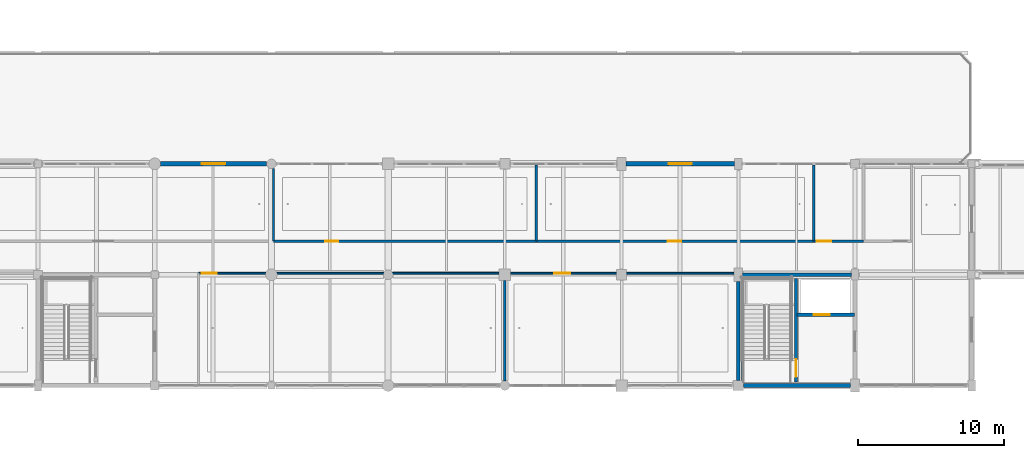
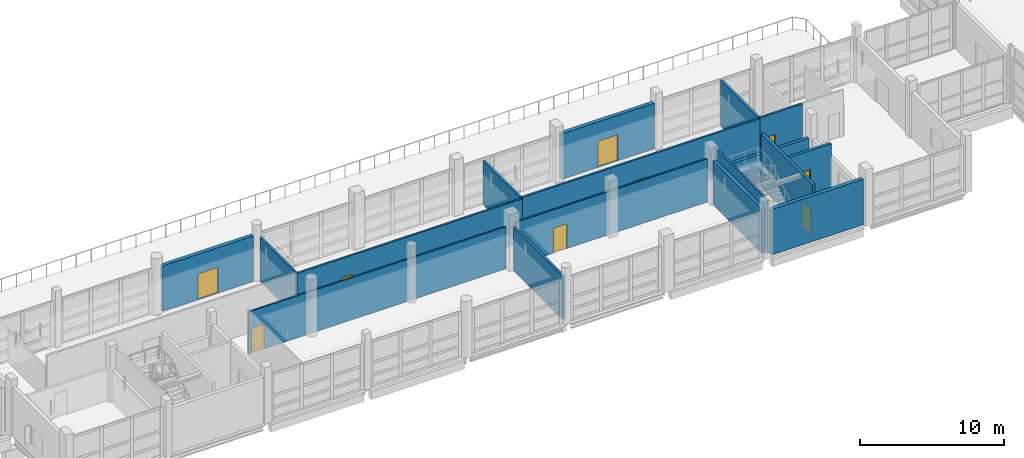
# One storey, part 88 of 147: 17 walls, 9 doors, 9 openings.
"""IFC4 building model written with IfcOpenShell, lengths in metres."""

from ifc_helpers import new_model, si_unit, direction, frame, frame_2d, origin, place, context, subcontext, project, spatial, rectangle, extrude, material, layer, layer_set, type_object, element, fill, save


model = new_model("IFC4")

# Units and contexts
model_context = context("Model", 3, precision=1e-05, world=origin(), true_north=direction((0.0, 1.0)))
body_context = subcontext(model_context, "Body", "Model", "MODEL_VIEW")
ifc_project = project(units=[si_unit("LENGTHUNIT", "METRE"), si_unit("AREAUNIT", "SQUARE_METRE"), si_unit("VOLUMEUNIT", "CUBIC_METRE"), si_unit("PLANEANGLEUNIT", "RADIAN"), si_unit("MASSUNIT", "GRAM", prefix="KILO")], contexts=[model_context])

# Site, building, storey
site_placement = place(None, origin())
site = spatial("IfcSite", under=ifc_project, at=site_placement, CompositionType="ELEMENT")
building_placement = place(site_placement, origin())
building = spatial("IfcBuilding", under=site, at=building_placement, Name="Khelvaren Railside Concert Hall", CompositionType="ELEMENT")
storey_placement = place(building_placement, frame((0.0, 0.0, 5.39990234375)))
storey = spatial("IfcBuildingStorey", under=building, at=storey_placement, Name="L01", CompositionType="ELEMENT", Elevation=5.39990234375)

# Walls
ifc_material_1 = material(Name="Concrete C40/50", Category="concrete")
ifc_layer_1 = layer(ifc_material_1, 0.139892578125)
ifc_layer_set_1 = layer_set([ifc_layer_1], Name="Concrete C40/50")
wall_type_1 = type_object("IfcWallType", Name="CW17", PredefinedType="SOLIDWALL", material=ifc_layer_set_1)
wall_1_placement = place(storey_placement, frame((120.27490234375, 0.14990234375, 0.0), z_axis=(0.0, 0.0, 1.0), x_axis=(0.0, 1.0, 0.0)))
element("IfcWall", 1, at=wall_1_placement, inside=storey, type_object=wall_type_1, Name="Core Shaft Structural Liner Wall ST-06-L01", PredefinedType="SOLIDWALL", context=body_context, shape_type="SweptSolid", body=[
    extrude(rectangle(XDim=7.300048828125, YDim=0.139892578125, at=frame_2d((3.64990234375, 0.0))), origin(), (0.0, 0.0, 1.0), 4.510009765625),
])
ifc_layer_2 = layer(ifc_material_1, 0.25)
ifc_layer_set_2 = layer_set([ifc_layer_2], Name="Concrete C40/50")
wall_type_2 = type_object("IfcWallType", Name="CW82", PredefinedType="SOLIDWALL", material=ifc_layer_set_2)
wall_2_placement = place(storey_placement, frame((120.0, 0.35009765625, 0.0), z_axis=(0.0, 0.0, 1.0), x_axis=(0.0, 1.0, 0.0)))
element("IfcWall", 2, at=wall_2_placement, inside=storey, type_object=wall_type_2, Name="Core Enclosure Wall CWALL-ST-06-L01-W", PredefinedType="SOLIDWALL", context=body_context, shape_type="SweptSolid", body=[
    extrude(rectangle(XDim=6.7998046875, YDim=0.25, at=frame_2d((3.39990234375, 0.0))), origin(), (0.0, 0.0, 1.0), 3.735107421875),
])
wall_3_placement = place(storey_placement, frame((120.300048828125, 7.60009765625, 0.0), z_axis=(0.0, 0.0, 1.0), x_axis=(1.0, 0.0, 0.0)))
element("IfcWall", 3, at=wall_3_placement, inside=storey, type_object=wall_type_2, Name="Core Enclosure Wall CWALL-ST-06-L01-N", PredefinedType="SOLIDWALL", context=body_context, shape_type="SweptSolid", body=[
    extrude(rectangle(XDim=7.449951171875, YDim=0.25, at=frame_2d((3.72509765625, 0.0))), origin(), (0.0, 0.0, 1.0), 2.690185546875),
])

# Wall, opening, door
ifc_layer_3 = layer(ifc_material_1, 0.219970703125)
ifc_layer_set_3 = layer_set([ifc_layer_3], Name="Concrete C40/50")
wall_type_3 = type_object("IfcWallType", Name="CW97", PredefinedType="SOLIDWALL", material=ifc_layer_set_3)
wall_4_placement = place(storey_placement, frame((123.949951171875, 0.25, 0.0), z_axis=(0.0, 0.0, 1.0), x_axis=(0.0, 1.0, 0.0)))
wall_4 = element("IfcWall", 4, at=wall_4_placement, inside=storey, type_object=wall_type_3, Name="Core Enclosure Wall CWALL-ST-06-L01-MID", PredefinedType="SOLIDWALL", context=body_context, shape_type="SweptSolid", body=[
    extrude(rectangle(XDim=7.10009765625, YDim=0.219970703125, at=frame_2d((3.550048828125, 0.0))), origin(), (0.0, 0.0, 1.0), 4.510009765625),
])
opening_1_placement = place(wall_4_placement, frame((0.35009765625, 0.0, 0.0)))
opening_1 = element("IfcOpeningElement", 5, at=opening_1_placement, cuts=wall_4, Name="Opening FDR17", PredefinedType="OPENING", context=body_context, shape_type="SweptSolid", body=[
    extrude(rectangle(XDim=1.199951171875, YDim=2.14990234375, at=frame_2d((0.60009765625, 1.074951171875))), frame((0.0, 0.119873046875, 0.0), z_axis=(0.0, -1.0, 0.0), x_axis=(1.0, 0.0, 0.0)), (0.0, 0.0, 1.0), 0.239990234375),
])
ifc_material_2 = material(Name="Acoustic fire-rated timber-core steel frame door", Category="steel")
door_type_1 = type_object("IfcDoorType", Name="FDR17", OperationType="NOTDEFINED", PredefinedType="DOOR", material=ifc_material_2)
door_1_placement = place(opening_1_placement, origin())
door_1 = element("IfcDoor", 6, at=door_1_placement, inside=storey, type_object=door_type_1, Name="Interior Door DR-ST-06-L01-ST", OperationType="SINGLE_SWING_RIGHT", OverallHeight=2.14990234375, OverallWidth=1.199951171875, PredefinedType="DOOR", context=body_context, shape_type="SweptSolid", body=[
    extrude(rectangle(XDim=1.199951171875, YDim=2.14990234375, at=frame_2d((0.60009765625, 1.074951171875))), frame((0.0, 0.02490234375, 0.0), z_axis=(0.0, -1.0, 0.0), x_axis=(1.0, 0.0, 0.0)), (0.0, 0.0, 1.0), 0.050048828125),
])
fill(opening_1, door_1)

wall_5_placement = place(storey_placement, frame((124.02001953125, 4.85009765625, 0.0), z_axis=(0.0, 0.0, 1.0), x_axis=(1.0, 0.0, 0.0)))
wall_5 = element("IfcWall", 7, at=wall_5_placement, inside=storey, type_object=wall_type_3, Name="Core Enclosure Wall CWALL-ST-06-L01-SHF", PredefinedType="SOLIDWALL", context=body_context, shape_type="SweptSolid", body=[
    extrude(rectangle(XDim=3.929931640625, YDim=0.219970703125, at=frame_2d((1.96484375, 0.0))), origin(), (0.0, 0.0, 1.0), 3.81005859375),
])
opening_2_placement = place(wall_5_placement, frame((1.14990234375, 0.0, 0.0)))
opening_2 = element("IfcOpeningElement", 8, at=opening_2_placement, cuts=wall_5, Name="Opening LD-PL-04", PredefinedType="OPENING", context=body_context, shape_type="SweptSolid", body=[
    extrude(rectangle(XDim=1.10009765625, YDim=2.199951171875, at=frame_2d((0.550048828125, 1.10009765625))), frame((0.0, 0.119873046875, 0.0), z_axis=(0.0, -1.0, 0.0), x_axis=(1.0, 0.0, 0.0)), (0.0, 0.0, 1.0), 0.239990234375),
])
ifc_material_3 = material(Name="Fire-rated brushed stainless steel landing door", Category="steel")
door_type_2 = type_object("IfcDoorType", Name="LD96", OperationType="DOUBLE_DOOR_SLIDING", PredefinedType="DOOR", material=ifc_material_3)
door_2_placement = place(opening_2_placement, origin())
door_2 = element("IfcDoor", 9, at=door_2_placement, inside=storey, type_object=door_type_2, Name="Lift Landing Door LD-PL-04-L01", OperationType="DOUBLE_DOOR_SLIDING", OverallHeight=2.199951171875, OverallWidth=1.10009765625, PredefinedType="DOOR", context=body_context, shape_type="SweptSolid", body=[
    extrude(rectangle(XDim=1.10009765625, YDim=2.199951171875, at=frame_2d((0.550048828125, 1.10009765625))), frame((0.0, 0.02490234375, 0.0), z_axis=(0.0, -1.0, 0.0), x_axis=(1.0, 0.0, 0.0)), (0.0, 0.0, 1.0), 0.050048828125),
])
fill(opening_2, door_2)

# Wall
ifc_material_4 = material(Name="Board-marked architectural concrete C40/50", Category="concrete")
ifc_layer_4 = layer(ifc_material_4, 0.2900390625)
ifc_layer_set_4 = layer_set([ifc_layer_4], Name="Board-marked architectural concrete C40/50")
wall_type_4 = type_object("IfcWallType", Name="EW77", PredefinedType="SOLIDWALL", material=ifc_layer_set_4)
wall_6_placement = place(storey_placement, frame((127.699951171875, 0.0, 0.0), z_axis=(0.0, 0.0, 1.0), x_axis=(-1.0, 0.0, 0.0)))
element("IfcWall", 10, at=wall_6_placement, inside=storey, type_object=wall_type_4, Name="V3 L01 Exterior Concrete Wall S-120", PredefinedType="SOLIDWALL", context=body_context, shape_type="SweptSolid", body=[
    extrude(rectangle(XDim=7.349853515625, YDim=0.2900390625, at=frame_2d((3.6748046875, 0.0))), origin(), (0.0, 0.0, 1.0), 3.85009765625),
])

# Wall, opening, door
wall_7_placement = place(storey_placement, frame((80.39990234375, 15.199951171875, 0.0), z_axis=(0.0, 0.0, 1.0), x_axis=(1.0, 0.0, 0.0)))
wall_7 = element("IfcWall", 11, at=wall_7_placement, inside=storey, type_object=wall_type_4, Name="V3 L01 Exterior Concrete Wall N-80", PredefinedType="SOLIDWALL", context=body_context, shape_type="SweptSolid", body=[
    extrude(rectangle(XDim=7.275146484375, YDim=0.2900390625, at=frame_2d((3.6376953125, 0.0))), origin(), (0.0, 0.0, 1.0), 3.85009765625),
])
opening_3_placement = place(wall_7_placement, frame((2.83740234375, 0.0, 0.0)))
opening_3 = element("IfcOpeningElement", 12, at=opening_3_placement, cuts=wall_7, Name="Opening TDR21", PredefinedType="OPENING", context=body_context, shape_type="SweptSolid", body=[
    extrude(rectangle(XDim=1.60009765625, YDim=2.199951171875, at=frame_2d((0.800048828125, 1.10009765625))), frame((0.0, 0.155029296875, 0.0), z_axis=(0.0, -1.0, 0.0), x_axis=(1.0, 0.0, 0.0)), (0.0, 0.0, 1.0), 0.31005859375),
])
ifc_material_5 = material(Name="Glazed thermally broken terrace door", Category="aluminium")
door_type_3 = type_object("IfcDoorType", Name="TDR21", OperationType="NOTDEFINED", PredefinedType="DOOR", material=ifc_material_5)
door_3_placement = place(opening_3_placement, origin())
door_3 = element("IfcDoor", 13, at=door_3_placement, inside=storey, type_object=door_type_3, Name="V3 L01 Outdoor Terrace Access Door", OperationType="SINGLE_SWING_LEFT", OverallHeight=2.199951171875, OverallWidth=1.60009765625, PredefinedType="DOOR", context=body_context, shape_type="SweptSolid", body=[
    extrude(rectangle(XDim=1.60009765625, YDim=2.199951171875, at=frame_2d((0.800048828125, 1.10009765625))), frame((0.0, 0.02490234375, 0.0), z_axis=(0.0, -1.0, 0.0), x_axis=(1.0, 0.0, 0.0)), (0.0, 0.0, 1.0), 0.050048828125),
])
fill(opening_3, door_3)

wall_8_placement = place(storey_placement, frame((112.300048828125, 15.199951171875, 0.0), z_axis=(0.0, 0.0, 1.0), x_axis=(1.0, 0.0, 0.0)))
wall_8 = element("IfcWall", 14, at=wall_8_placement, inside=storey, type_object=wall_type_4, Name="V3 L01 Exterior Concrete Wall N-112", PredefinedType="SOLIDWALL", context=body_context, shape_type="SweptSolid", body=[
    extrude(rectangle(XDim=7.449951171875, YDim=0.2900390625, at=frame_2d((3.72509765625, 0.0))), origin(), (0.0, 0.0, 1.0), 3.85009765625),
])
opening_4_placement = place(wall_8_placement, frame((2.925048828125, 0.0, 0.0)))
opening_4 = element("IfcOpeningElement", 15, at=opening_4_placement, cuts=wall_8, Name="Opening TDR21", PredefinedType="OPENING", context=body_context, shape_type="SweptSolid", body=[
    extrude(rectangle(XDim=1.60009765625, YDim=2.199951171875, at=frame_2d((0.800048828125, 1.10009765625))), frame((0.0, 0.155029296875, 0.0), z_axis=(0.0, -1.0, 0.0), x_axis=(1.0, 0.0, 0.0)), (0.0, 0.0, 1.0), 0.31005859375),
])
door_4_placement = place(opening_4_placement, origin())
door_4 = element("IfcDoor", 16, at=door_4_placement, inside=storey, type_object=door_type_3, Name="V3 L01 Outdoor Terrace Access Door", OperationType="SINGLE_SWING_RIGHT", OverallHeight=2.199951171875, OverallWidth=1.60009765625, PredefinedType="DOOR", context=body_context, shape_type="SweptSolid", body=[
    extrude(rectangle(XDim=1.60009765625, YDim=2.199951171875, at=frame_2d((0.800048828125, 1.10009765625))), frame((0.0, 0.02490234375, 0.0), z_axis=(0.0, -1.0, 0.0), x_axis=(1.0, 0.0, 0.0)), (0.0, 0.0, 1.0), 0.050048828125),
])
fill(opening_4, door_4)

# Walls
ifc_material_6 = material(Name="Acoustic double-stud gypsum partition", Category="gypsum")
ifc_layer_5 = layer(ifc_material_6, 0.139892578125)
ifc_layer_set_5 = layer_set([ifc_layer_5], Name="Acoustic double-stud gypsum partition")
wall_type_5 = type_object("IfcWallType", Name="PT41", PredefinedType="PARTITIONING", material=ifc_layer_set_5)
wall_9_placement = place(storey_placement, frame((88.138916015625, 9.89990234375, 0.0), z_axis=(0.0, 0.0, 1.0), x_axis=(0.0, 1.0, 0.0)))
element("IfcWall", 17, at=wall_9_placement, inside=storey, type_object=wall_type_5, Name="Acoustic Partition Wall PW-V3-L01-N-D01", PredefinedType="PARTITIONING", context=body_context, shape_type="SweptSolid", body=[
    extrude(rectangle(XDim=4.97509765625, YDim=0.139892578125, at=frame_2d((2.487548828125, 0.0))), origin(), (0.0, 0.0, 1.0), 3.735107421875),
])
ifc_layer_6 = layer(ifc_material_6, 0.179931640625)
ifc_layer_set_6 = layer_set([ifc_layer_6], Name="Acoustic double-stud gypsum partition")
wall_type_6 = type_object("IfcWallType", Name="PT53", PredefinedType="PARTITIONING", material=ifc_layer_set_6)
wall_10_placement = place(storey_placement, frame((125.174072265625, 9.89990234375, 0.0), z_axis=(0.0, 0.0, 1.0), x_axis=(0.0, 1.0, 0.0)))
element("IfcWall", 18, at=wall_10_placement, inside=storey, type_object=wall_type_6, Name="Acoustic Partition Wall PW-V3-L01-N-D03", PredefinedType="PARTITIONING", context=body_context, shape_type="SweptSolid", body=[
    extrude(rectangle(XDim=5.22021484375, YDim=0.179931640625, at=frame_2d((2.610107421875, 0.0))), origin(), (0.0, 0.0, 1.0), 3.880126953125),
])

# Wall, opening, door
ifc_layer_7 = layer(ifc_material_6, 0.1298828125)
ifc_layer_set_7 = layer_set([ifc_layer_7], Name="Acoustic double-stud gypsum partition")
wall_type_7 = type_object("IfcWallType", Name="PT69", PredefinedType="PARTITIONING", material=ifc_layer_set_7)
wall_11_placement = place(storey_placement, frame((83.0, 7.699951171875, 0.0), z_axis=(0.0, 0.0, 1.0), x_axis=(1.0, 0.0, 0.0)))
wall_11 = element("IfcWall", 19, at=wall_11_placement, inside=storey, type_object=wall_type_7, Name="Acoustic Partition Wall PW-V3-L01-S-C01", PredefinedType="PARTITIONING", context=body_context, shape_type="SweptSolid", body=[
    extrude(rectangle(XDim=20.60009765625, YDim=0.1298828125, at=frame_2d((10.300048828125, 0.0))), origin(), (0.0, 0.0, 1.0), 3.550048828125),
])
opening_5_placement = place(wall_11_placement, frame((0.219970703125, 0.0, 0.0)))
opening_5 = element("IfcOpeningElement", 20, at=opening_5_placement, cuts=wall_11, Name="Opening IDR87", PredefinedType="OPENING", context=body_context, shape_type="SweptSolid", body=[
    extrude(rectangle(XDim=1.02001953125, YDim=2.10009765625, at=frame_2d((0.510009765625, 1.050048828125))), frame((0.0, 0.074951171875, 0.0), z_axis=(0.0, -1.0, 0.0), x_axis=(1.0, 0.0, 0.0)), (0.0, 0.0, 1.0), 0.14990234375),
])
ifc_material_7 = material(Name="Solid oak acoustic studio door", Category="wood")
door_type_4 = type_object("IfcDoorType", Name="IDR87", OperationType="NOTDEFINED", PredefinedType="DOOR", material=ifc_material_7)
door_5_placement = place(opening_5_placement, origin())
door_5 = element("IfcDoor", 21, at=door_5_placement, inside=storey, type_object=door_type_4, Name="Interior Door DR-V3-L01-S-01", OperationType="SINGLE_SWING_LEFT", OverallHeight=2.10009765625, OverallWidth=1.02001953125, PredefinedType="DOOR", context=body_context, shape_type="SweptSolid", body=[
    extrude(rectangle(XDim=1.02001953125, YDim=2.10009765625, at=frame_2d((0.510009765625, 1.050048828125))), frame((0.0, 0.02490234375, 0.0), z_axis=(0.0, -1.0, 0.0), x_axis=(1.0, 0.0, 0.0)), (0.0, 0.0, 1.0), 0.050048828125),
])
fill(opening_5, door_5)

wall_12_placement = place(storey_placement, frame((104.39990234375, 7.699951171875, 0.0), z_axis=(0.0, 0.0, 1.0), x_axis=(1.0, 0.0, 0.0)))
wall_12 = element("IfcWall", 22, at=wall_12_placement, inside=storey, type_object=wall_type_7, Name="Acoustic Partition Wall PW-V3-L01-S-C02", PredefinedType="PARTITIONING", context=body_context, shape_type="SweptSolid", body=[
    extrude(rectangle(XDim=15.300048828125, YDim=0.1298828125, at=frame_2d((7.64990234375, 0.0))), origin(), (0.0, 0.0, 1.0), 3.650146484375),
])
opening_6_placement = place(wall_12_placement, frame((2.991943359375, 0.0, 0.0)))
opening_6 = element("IfcOpeningElement", 23, at=opening_6_placement, cuts=wall_12, Name="Opening IDR70", PredefinedType="OPENING", context=body_context, shape_type="SweptSolid", body=[
    extrude(rectangle(XDim=1.080078125, YDim=2.10009765625, at=frame_2d((0.5400390625, 1.050048828125))), frame((0.0, 0.074951171875, 0.0), z_axis=(0.0, -1.0, 0.0), x_axis=(1.0, 0.0, 0.0)), (0.0, 0.0, 1.0), 0.14990234375),
])
door_type_5 = type_object("IfcDoorType", Name="IDR70", OperationType="NOTDEFINED", PredefinedType="DOOR", material=ifc_material_7)
door_6_placement = place(opening_6_placement, origin())
door_6 = element("IfcDoor", 24, at=door_6_placement, inside=storey, type_object=door_type_5, Name="Interior Door DR-V3-L01-S-02", OperationType="SINGLE_SWING_RIGHT", OverallHeight=2.10009765625, OverallWidth=1.080078125, PredefinedType="DOOR", context=body_context, shape_type="SweptSolid", body=[
    extrude(rectangle(XDim=1.080078125, YDim=2.10009765625, at=frame_2d((0.5400390625, 1.050048828125))), frame((0.0, 0.02490234375, 0.0), z_axis=(0.0, -1.0, 0.0), x_axis=(1.0, 0.0, 0.0)), (0.0, 0.0, 1.0), 0.050048828125),
])
fill(opening_6, door_6)

ifc_layer_8 = layer(ifc_material_6, 0.14990234375)
ifc_layer_set_8 = layer_set([ifc_layer_8], Name="Acoustic double-stud gypsum partition")
wall_type_8 = type_object("IfcWallType", Name="PT72", PredefinedType="PARTITIONING", material=ifc_layer_set_8)
wall_13_placement = place(storey_placement, frame((88.138916015625, 9.89990234375, 0.0), z_axis=(0.0, 0.0, 1.0), x_axis=(1.0, 0.0, 0.0)))
wall_13 = element("IfcWall", 25, at=wall_13_placement, inside=storey, type_object=wall_type_8, Name="Acoustic Partition Wall PW-V3-L01-N-C02", PredefinedType="PARTITIONING", context=body_context, shape_type="SweptSolid", body=[
    extrude(rectangle(XDim=18.01708984375, YDim=0.14990234375, at=frame_2d((9.008544921875, 0.0))), origin(), (0.0, 0.0, 1.0), 3.68505859375),
])
opening_7_placement = place(wall_13_placement, frame((3.535400390625, 0.0, 0.0)))
opening_7 = element("IfcOpeningElement", 26, at=opening_7_placement, cuts=wall_13, Name="Opening IDR59", PredefinedType="OPENING", context=body_context, shape_type="SweptSolid", body=[
    extrude(rectangle(XDim=0.89990234375, YDim=2.050048828125, at=frame_2d((0.449951171875, 1.02490234375))), frame((0.0, 0.0849609375, 0.0), z_axis=(0.0, -1.0, 0.0), x_axis=(1.0, 0.0, 0.0)), (0.0, 0.0, 1.0), 0.169921875),
])
door_type_6 = type_object("IfcDoorType", Name="IDR59", OperationType="NOTDEFINED", PredefinedType="DOOR", material=ifc_material_7)
door_7_placement = place(opening_7_placement, origin())
door_7 = element("IfcDoor", 27, at=door_7_placement, inside=storey, type_object=door_type_6, Name="Interior Door DR-V3-L01-N-02", OperationType="SINGLE_SWING_RIGHT", OverallHeight=2.050048828125, OverallWidth=0.89990234375, PredefinedType="DOOR", context=body_context, shape_type="SweptSolid", body=[
    extrude(rectangle(XDim=0.89990234375, YDim=2.050048828125, at=frame_2d((0.449951171875, 1.02490234375))), frame((0.0, 0.02490234375, 0.0), z_axis=(0.0, -1.0, 0.0), x_axis=(1.0, 0.0, 0.0)), (0.0, 0.0, 1.0), 0.050048828125),
])
fill(opening_7, door_7)

wall_14_placement = place(storey_placement, frame((106.156005859375, 9.89990234375, 0.0), z_axis=(0.0, 0.0, 1.0), x_axis=(1.0, 0.0, 0.0)))
wall_14 = element("IfcWall", 28, at=wall_14_placement, inside=storey, type_object=wall_type_8, Name="Acoustic Partition Wall PW-V3-L01-N-C03", PredefinedType="PARTITIONING", context=body_context, shape_type="SweptSolid", body=[
    extrude(rectangle(XDim=19.01806640625, YDim=0.14990234375, at=frame_2d((9.509033203125, 0.0))), origin(), (0.0, 0.0, 1.0), 3.81005859375),
])
opening_8_placement = place(wall_14_placement, frame((9.009033203125, 0.0, 0.0)))
opening_8 = element("IfcOpeningElement", 29, at=opening_8_placement, cuts=wall_14, Name="Opening IDR92", PredefinedType="OPENING", context=body_context, shape_type="SweptSolid", body=[
    extrude(rectangle(XDim=0.93994140625, YDim=2.050048828125, at=frame_2d((0.469970703125, 1.02490234375))), frame((0.0, 0.0849609375, 0.0), z_axis=(0.0, -1.0, 0.0), x_axis=(1.0, 0.0, 0.0)), (0.0, 0.0, 1.0), 0.169921875),
])
door_type_7 = type_object("IfcDoorType", Name="IDR92", OperationType="NOTDEFINED", PredefinedType="DOOR", material=ifc_material_7)
door_8_placement = place(opening_8_placement, origin())
door_8 = element("IfcDoor", 30, at=door_8_placement, inside=storey, type_object=door_type_7, Name="Interior Door DR-V3-L01-N-03", OperationType="SINGLE_SWING_LEFT", OverallHeight=2.050048828125, OverallWidth=0.93994140625, PredefinedType="DOOR", context=body_context, shape_type="SweptSolid", body=[
    extrude(rectangle(XDim=0.93994140625, YDim=2.050048828125, at=frame_2d((0.469970703125, 1.02490234375))), frame((0.0, 0.02490234375, 0.0), z_axis=(0.0, -1.0, 0.0), x_axis=(1.0, 0.0, 0.0)), (0.0, 0.0, 1.0), 0.050048828125),
])
fill(opening_8, door_8)

wall_15_placement = place(storey_placement, frame((125.174072265625, 9.89990234375, 0.0), z_axis=(0.0, 0.0, 1.0), x_axis=(1.0, 0.0, 0.0)))
wall_15 = element("IfcWall", 31, at=wall_15_placement, inside=storey, type_object=wall_type_8, Name="Acoustic Partition Wall PW-V3-L01-N-C04", PredefinedType="PARTITIONING", context=body_context, shape_type="SweptSolid", body=[
    extrude(rectangle(XDim=3.40283203125, YDim=0.14990234375, at=frame_2d((1.701416015625, 0.0))), origin(), (0.0, 0.0, 1.0), 3.885009765625),
])
opening_9_placement = place(wall_15_placement, frame((0.219970703125, 0.0, 0.0)))
opening_9 = element("IfcOpeningElement", 32, at=opening_9_placement, cuts=wall_15, Name="Opening IDR23", PredefinedType="OPENING", context=body_context, shape_type="SweptSolid", body=[
    extrude(rectangle(XDim=0.97998046875, YDim=2.050048828125, at=frame_2d((0.489990234375, 1.02490234375))), frame((0.0, 0.0849609375, 0.0), z_axis=(0.0, -1.0, 0.0), x_axis=(1.0, 0.0, 0.0)), (0.0, 0.0, 1.0), 0.169921875),
])
door_type_8 = type_object("IfcDoorType", Name="IDR23", OperationType="NOTDEFINED", PredefinedType="DOOR", material=ifc_material_7)
door_9_placement = place(opening_9_placement, origin())
door_9 = element("IfcDoor", 33, at=door_9_placement, inside=storey, type_object=door_type_8, Name="Interior Door DR-V3-L01-N-04", OperationType="SINGLE_SWING_RIGHT", OverallHeight=2.050048828125, OverallWidth=0.97998046875, PredefinedType="DOOR", context=body_context, shape_type="SweptSolid", body=[
    extrude(rectangle(XDim=0.97998046875, YDim=2.050048828125, at=frame_2d((0.489990234375, 1.02490234375))), frame((0.0, 0.02490234375, 0.0), z_axis=(0.0, -1.0, 0.0), x_axis=(1.0, 0.0, 0.0)), (0.0, 0.0, 1.0), 0.050048828125),
])
fill(opening_9, door_9)

# Walls
ifc_layer_9 = layer(ifc_material_6, 0.159912109375)
ifc_layer_set_9 = layer_set([ifc_layer_9], Name="Acoustic double-stud gypsum partition")
wall_type_9 = type_object("IfcWallType", Name="PT97", PredefinedType="PARTITIONING", material=ifc_layer_set_9)
wall_16_placement = place(storey_placement, frame((106.156005859375, 9.89990234375, 0.0), z_axis=(0.0, 0.0, 1.0), x_axis=(0.0, 1.0, 0.0)))
element("IfcWall", 34, at=wall_16_placement, inside=storey, type_object=wall_type_9, Name="Acoustic Partition Wall PW-V3-L01-N-D02", PredefinedType="PARTITIONING", context=body_context, shape_type="SweptSolid", body=[
    extrude(rectangle(XDim=5.22021484375, YDim=0.159912109375, at=frame_2d((2.610107421875, 0.0))), origin(), (0.0, 0.0, 1.0), 3.735107421875),
])
wall_17_placement = place(storey_placement, frame((104.0, 0.324951171875, 0.0), z_axis=(0.0, 0.0, 1.0), x_axis=(0.0, 1.0, 0.0)))
element("IfcWall", 35, at=wall_17_placement, inside=storey, type_object=wall_type_9, Name="Acoustic Partition Wall PW-V3-L01-S-D01", PredefinedType="PARTITIONING", context=body_context, shape_type="SweptSolid", body=[
    extrude(rectangle(XDim=6.875, YDim=0.159912109375, at=frame_2d((3.4375, 0.0))), origin(), (0.0, 0.0, 1.0), 3.68505859375),
])

save(model, "model.ifc")
